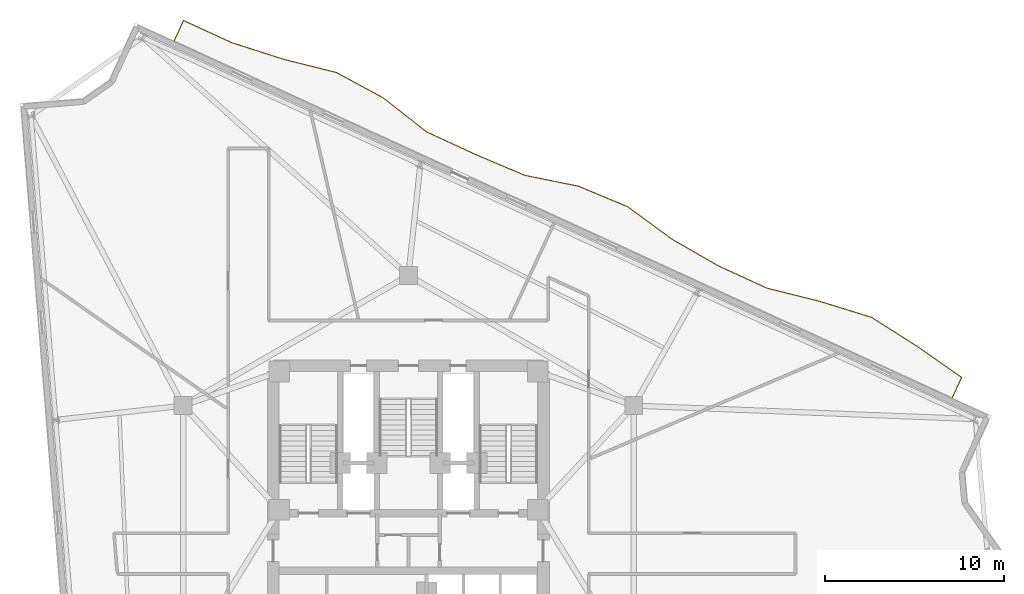
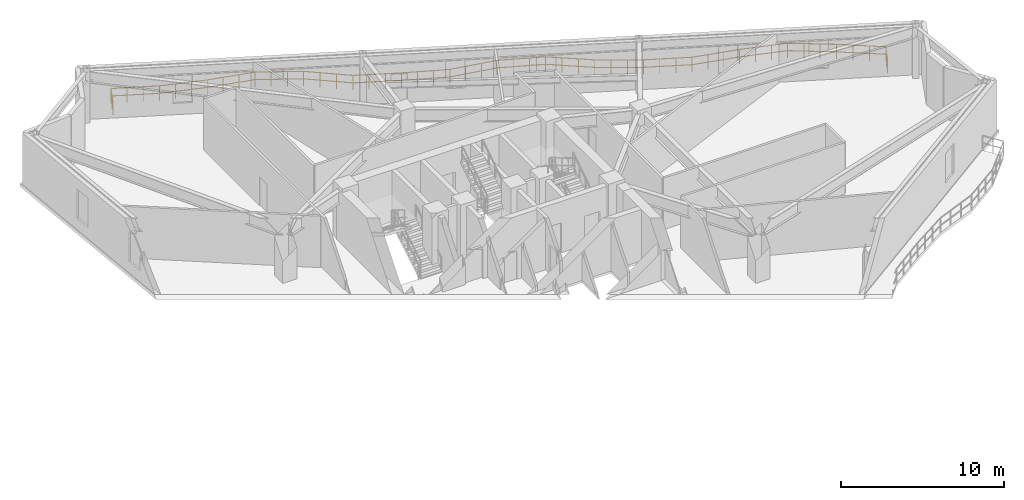
# One storey, part 10 of 10: 1 railing.
"""IFC4 building model written with IfcOpenShell, lengths in metres."""

from ifc_helpers import new_model, si_unit, direction, frame, origin, origin_2d, place, context, subcontext, project, spatial, rectangle, extrude, material, type_object, element, save


model = new_model("IFC4")

# Units and contexts
model_context = context("Model", 3, precision=1e-05, world=origin(), true_north=direction((0.0, 1.0)))
body_context = subcontext(model_context, "Body", "Model", "MODEL_VIEW")
ifc_project = project(units=[si_unit("LENGTHUNIT", "METRE"), si_unit("AREAUNIT", "SQUARE_METRE"), si_unit("VOLUMEUNIT", "CUBIC_METRE"), si_unit("PLANEANGLEUNIT", "RADIAN"), si_unit("MASSUNIT", "GRAM", prefix="KILO")], contexts=[model_context])

# Site, building, storey
site_placement = place(None, origin())
site = spatial("IfcSite", under=ifc_project, at=site_placement, CompositionType="ELEMENT")
building_placement = place(site_placement, origin())
building = spatial("IfcBuilding", under=site, at=building_placement, Name="Apsidion Concourse Tower", CompositionType="ELEMENT")
storey_placement = place(building_placement, frame((0.0, 0.0, 210.60009765625)))
storey = spatial("IfcBuildingStorey", under=building, at=storey_placement, Name="L49", CompositionType="ELEMENT", Elevation=210.60009765625)

# Railing
ifc_material = material(Name="Brushed stainless steel 316", Category="steel")
railing_type = type_object("IfcRailingType", Name="RL-BAL-1120", PredefinedType="BALUSTRADE", material=ifc_material)
railing_placement = place(storey_placement, frame((-13.060546875, 27.586181640625, 0.0)))
element("IfcRailing", 1, at=railing_placement, inside=storey, type_object=railing_type, Name="L49 Face 3 Rippling Balcony Balustrade", PredefinedType="BALUSTRADE", context=body_context, shape_type="SweptSolid", body=[
    extrude(rectangle(XDim=0.048095703125, YDim=0.048095703125, at=origin_2d()), frame((0.0, 0.0, 1.09619140625), z_axis=(0.416964027028, 0.908922989128, 0.0), x_axis=(-0.908922989128, 0.416964027028, 0.0)), (0.0, 0.0, 1.0), 1.25),
    extrude(rectangle(XDim=0.048095703125, YDim=0.048095703125, at=origin_2d()), frame((0.0, 0.0, 0.5361328125), z_axis=(0.416964027028, 0.908922989128, 0.0), x_axis=(-0.908922989128, 0.416964027028, 0.0)), (0.0, 0.0, 1.0), 1.25),
    extrude(rectangle(XDim=0.048095703125, YDim=0.048095703125, at=origin_2d()), frame((0.521240234375, 1.13623046875, 1.09619140625), z_axis=(0.9089485399, -0.416908325432, 0.0), x_axis=(0.416908325432, 0.9089485399, 0.0)), (0.0, 0.0, 1.0), 2.983154296875),
    extrude(rectangle(XDim=0.048095703125, YDim=0.048095703125, at=origin_2d()), frame((0.521240234375, 1.13623046875, 0.5361328125), z_axis=(0.9089485399, -0.416908325432, 0.0), x_axis=(0.416908325432, 0.9089485399, 0.0)), (0.0, 0.0, 1.0), 2.983154296875),
    extrude(rectangle(XDim=0.048095703125, YDim=0.048095703125, at=origin_2d()), frame((3.232666015625, -0.107421875, 1.09619140625), z_axis=(0.952417542604, -0.304796365695, 0.0), x_axis=(0.304796365695, 0.952417542604, 0.0)), (0.0, 0.0, 1.0), 3.004638671875),
    extrude(rectangle(XDim=0.048095703125, YDim=0.048095703125, at=origin_2d()), frame((3.232666015625, -0.107421875, 0.5361328125), z_axis=(0.952417542604, -0.304796365695, 0.0), x_axis=(0.304796365695, 0.952417542604, 0.0)), (0.0, 0.0, 1.0), 3.004638671875),
    extrude(rectangle(XDim=0.048095703125, YDim=0.048095703125, at=origin_2d()), frame((6.09423828125, -1.023193359375, 1.09619140625), z_axis=(0.97018034533, -0.24238419407, 0.0), x_axis=(0.24238419407, 0.97018034533, 0.0)), (0.0, 0.0, 1.0), 3.034912109375),
    extrude(rectangle(XDim=0.048095703125, YDim=0.048095703125, at=origin_2d()), frame((6.09423828125, -1.023193359375, 0.5361328125), z_axis=(0.97018034533, -0.24238419407, 0.0), x_axis=(0.24238419407, 0.97018034533, 0.0)), (0.0, 0.0, 1.0), 3.034912109375),
    extrude(rectangle(XDim=0.048095703125, YDim=0.048095703125, at=origin_2d()), frame((9.03857421875, -1.7587890625, 1.09619140625), z_axis=(0.879262040089, -0.476338393224, 0.0), x_axis=(0.476338393224, 0.879262040089, 0.0)), (0.0, 0.0, 1.0), 2.989501953125),
    extrude(rectangle(XDim=0.048095703125, YDim=0.048095703125, at=origin_2d()), frame((9.03857421875, -1.7587890625, 0.5361328125), z_axis=(0.879262040089, -0.476338393224, 0.0), x_axis=(0.476338393224, 0.879262040089, 0.0)), (0.0, 0.0, 1.0), 2.989501953125),
    extrude(rectangle(XDim=0.048095703125, YDim=0.048095703125, at=origin_2d()), frame((11.667236328125, -3.182861328125, 1.09619140625), z_axis=(0.786989062308, -0.616966948716, 0.0), x_axis=(0.616966948716, 0.786989062308, 0.0)), (0.0, 0.0, 1.0), 3.067138671875),
    extrude(rectangle(XDim=0.048095703125, YDim=0.048095703125, at=origin_2d()), frame((11.667236328125, -3.182861328125, 0.5361328125), z_axis=(0.786989062308, -0.616966948716, 0.0), x_axis=(0.616966948716, 0.786989062308, 0.0)), (0.0, 0.0, 1.0), 3.067138671875),
    extrude(rectangle(XDim=0.048095703125, YDim=0.048095703125, at=origin_2d()), frame((14.0810546875, -5.0751953125, 1.09619140625), z_axis=(0.907815604739, -0.419369559925, 0.0), x_axis=(0.419369559925, 0.907815604739, 0.0)), (0.0, 0.0, 1.0), 2.98291015625),
    extrude(rectangle(XDim=0.048095703125, YDim=0.048095703125, at=origin_2d()), frame((14.0810546875, -5.0751953125, 0.5361328125), z_axis=(0.907815604739, -0.419369559925, 0.0), x_axis=(0.419369559925, 0.907815604739, 0.0)), (0.0, 0.0, 1.0), 2.98291015625),
    extrude(rectangle(XDim=0.048095703125, YDim=0.048095703125, at=origin_2d()), frame((16.7890625, -6.326171875, 1.09619140625), z_axis=(0.920824924739, -0.389976227455, 0.0), x_axis=(0.389976227455, 0.920824924739, 0.0)), (0.0, 0.0, 1.0), 2.984375),
    extrude(rectangle(XDim=0.048095703125, YDim=0.048095703125, at=origin_2d()), frame((16.7890625, -6.326171875, 0.5361328125), z_axis=(0.920824924739, -0.389976227455, 0.0), x_axis=(0.389976227455, 0.920824924739, 0.0)), (0.0, 0.0, 1.0), 2.984375),
    extrude(rectangle(XDim=0.048095703125, YDim=0.048095703125, at=origin_2d()), frame((19.537109375, -7.489990234375, 1.09619140625), z_axis=(0.979866154786, -0.19965550006, 0.0), x_axis=(0.19965550006, 0.979866154786, 0.0)), (0.0, 0.0, 1.0), 3.063232421875),
    extrude(rectangle(XDim=0.048095703125, YDim=0.048095703125, at=origin_2d()), frame((19.537109375, -7.489990234375, 0.5361328125), z_axis=(0.979866154786, -0.19965550006, 0.0), x_axis=(0.19965550006, 0.979866154786, 0.0)), (0.0, 0.0, 1.0), 3.063232421875),
    extrude(rectangle(XDim=0.048095703125, YDim=0.048095703125, at=origin_2d()), frame((22.53857421875, -8.1015625, 1.09619140625), z_axis=(0.923009147056, -0.384778006713, 0.0), x_axis=(0.384778006713, 0.923009147056, 0.0)), (0.0, 0.0, 1.0), 2.984619140625),
    extrude(rectangle(XDim=0.048095703125, YDim=0.048095703125, at=origin_2d()), frame((22.53857421875, -8.1015625, 0.5361328125), z_axis=(0.923009147056, -0.384778006713, 0.0), x_axis=(0.384778006713, 0.923009147056, 0.0)), (0.0, 0.0, 1.0), 2.984619140625),
    extrude(rectangle(XDim=0.048095703125, YDim=0.048095703125, at=origin_2d()), frame((25.29345703125, -9.25, 1.09619140625), z_axis=(0.806180671995, -0.591669438202, 0.0), x_axis=(0.591669438202, 0.806180671995, 0.0)), (0.0, 0.0, 1.0), 3.045654296875),
    extrude(rectangle(XDim=0.048095703125, YDim=0.048095703125, at=origin_2d()), frame((25.29345703125, -9.25, 0.5361328125), z_axis=(0.806180671995, -0.591669438202, 0.0), x_axis=(0.591669438202, 0.806180671995, 0.0)), (0.0, 0.0, 1.0), 3.045654296875),
    extrude(rectangle(XDim=0.048095703125, YDim=0.048095703125, at=origin_2d()), frame((27.748779296875, -11.052001953125, 1.09619140625), z_axis=(0.866971447795, -0.498357811926, 0.0), x_axis=(0.498357811926, 0.866971447795, 0.0)), (0.0, 0.0, 1.0), 2.99560546875),
    extrude(rectangle(XDim=0.048095703125, YDim=0.048095703125, at=origin_2d()), frame((27.748779296875, -11.052001953125, 0.5361328125), z_axis=(0.866971447795, -0.498357811926, 0.0), x_axis=(0.498357811926, 0.866971447795, 0.0)), (0.0, 0.0, 1.0), 2.99560546875),
    extrude(rectangle(XDim=0.048095703125, YDim=0.048095703125, at=origin_2d()), frame((30.345947265625, -12.544921875, 1.09619140625), z_axis=(0.908934312968, -0.416939341761, 0.0), x_axis=(0.416939341761, 0.908934312968, 0.0)), (0.0, 0.0, 1.0), 2.98291015625),
    extrude(rectangle(XDim=0.048095703125, YDim=0.048095703125, at=origin_2d()), frame((30.345947265625, -12.544921875, 0.5361328125), z_axis=(0.908934312968, -0.416939341761, 0.0), x_axis=(0.416939341761, 0.908934312968, 0.0)), (0.0, 0.0, 1.0), 2.98291015625),
    extrude(rectangle(XDim=0.048095703125, YDim=0.048095703125, at=origin_2d()), frame((33.05712890625, -13.78857421875, 1.09619140625), z_axis=(0.970307878958, -0.241873148639, 0.0), x_axis=(0.241873148639, 0.970307878958, 0.0)), (0.0, 0.0, 1.0), 3.03515625),
    extrude(rectangle(XDim=0.048095703125, YDim=0.048095703125, at=origin_2d()), frame((33.05712890625, -13.78857421875, 0.5361328125), z_axis=(0.970307878958, -0.241873148639, 0.0), x_axis=(0.241873148639, 0.970307878958, 0.0)), (0.0, 0.0, 1.0), 3.03515625),
    extrude(rectangle(XDim=0.048095703125, YDim=0.048095703125, at=origin_2d()), frame((36.002197265625, -14.522705078125, 1.09619140625), z_axis=(0.955249316357, -0.295801865442, 0.0), x_axis=(0.295801865442, 0.955249316357, 0.0)), (0.0, 0.0, 1.0), 3.00830078125),
    extrude(rectangle(XDim=0.048095703125, YDim=0.048095703125, at=origin_2d()), frame((36.002197265625, -14.522705078125, 0.5361328125), z_axis=(0.955249316357, -0.295801865442, 0.0), x_axis=(0.295801865442, 0.955249316357, 0.0)), (0.0, 0.0, 1.0), 3.00830078125),
    extrude(rectangle(XDim=0.048095703125, YDim=0.048095703125, at=origin_2d()), frame((38.8759765625, -15.41259765625, 1.09619140625), z_axis=(0.844521997802, -0.535520863486, 0.0), x_axis=(0.535520863486, 0.844521997802, 0.0)), (0.0, 0.0, 1.0), 3.01025390625),
    extrude(rectangle(XDim=0.048095703125, YDim=0.048095703125, at=origin_2d()), frame((38.8759765625, -15.41259765625, 0.5361328125), z_axis=(0.844521997802, -0.535520863486, 0.0), x_axis=(0.535520863486, 0.844521997802, 0.0)), (0.0, 0.0, 1.0), 3.01025390625),
    extrude(rectangle(XDim=0.048095703125, YDim=0.048095703125, at=origin_2d()), frame((41.418212890625, -17.024658203125, 1.09619140625), z_axis=(0.81921300778, -0.573489361614, 0.0), x_axis=(0.573489361614, 0.81921300778, 0.0)), (0.0, 0.0, 1.0), 3.0322265625),
    extrude(rectangle(XDim=0.048095703125, YDim=0.048095703125, at=origin_2d()), frame((41.418212890625, -17.024658203125, 0.5361328125), z_axis=(0.81921300778, -0.573489361614, 0.0), x_axis=(0.573489361614, 0.81921300778, 0.0)), (0.0, 0.0, 1.0), 3.0322265625),
    extrude(rectangle(XDim=0.048095703125, YDim=0.048095703125, at=origin_2d()), frame((43.90234375, -18.763671875, 1.09619140625), z_axis=(-0.416876673848, -0.908963056896, 0.0), x_axis=(0.908963056896, -0.416876673848, 0.0)), (0.0, 0.0, 1.0), 1.249755859375),
    extrude(rectangle(XDim=0.048095703125, YDim=0.048095703125, at=origin_2d()), frame((43.90234375, -18.763671875, 0.5361328125), z_axis=(-0.416876673848, -0.908963056896, 0.0), x_axis=(0.908963056896, -0.416876673848, 0.0)), (0.0, 0.0, 1.0), 1.249755859375),
    extrude(rectangle(XDim=0.0419921875, YDim=0.0419921875, at=origin_2d()), origin(), (0.0, 0.0, 1.0), 1.072021484375),
    extrude(rectangle(XDim=0.0419921875, YDim=0.0419921875, at=origin_2d()), frame((0.2607421875, 0.568115234375, 0.0)), (0.0, 0.0, 1.0), 1.072021484375),
    extrude(rectangle(XDim=0.0419921875, YDim=0.0419921875, at=origin_2d()), frame((0.521240234375, 1.13623046875, 0.0)), (0.0, 0.0, 1.0), 1.072021484375),
    extrude(rectangle(XDim=0.0419921875, YDim=0.0419921875, at=origin_2d()), frame((1.425048828125, 0.7216796875, 0.0)), (0.0, 0.0, 1.0), 1.072021484375),
    extrude(rectangle(XDim=0.0419921875, YDim=0.0419921875, at=origin_2d()), frame((2.328857421875, 0.30712890625, 0.0)), (0.0, 0.0, 1.0), 1.072021484375),
    extrude(rectangle(XDim=0.0419921875, YDim=0.0419921875, at=origin_2d()), frame((3.232666015625, -0.107421875, 0.0)), (0.0, 0.0, 1.0), 1.072021484375),
    extrude(rectangle(XDim=0.0419921875, YDim=0.0419921875, at=origin_2d()), frame((4.1865234375, -0.41259765625, 0.0)), (0.0, 0.0, 1.0), 1.072021484375),
    extrude(rectangle(XDim=0.0419921875, YDim=0.0419921875, at=origin_2d()), frame((5.140380859375, -0.718017578125, 0.0)), (0.0, 0.0, 1.0), 1.072021484375),
    extrude(rectangle(XDim=0.0419921875, YDim=0.0419921875, at=origin_2d()), frame((6.09423828125, -1.023193359375, 0.0)), (0.0, 0.0, 1.0), 1.072021484375),
    extrude(rectangle(XDim=0.0419921875, YDim=0.0419921875, at=origin_2d()), frame((7.07568359375, -1.268310546875, 0.0)), (0.0, 0.0, 1.0), 1.072021484375),
    extrude(rectangle(XDim=0.0419921875, YDim=0.0419921875, at=origin_2d()), frame((8.05712890625, -1.513671875, 0.0)), (0.0, 0.0, 1.0), 1.072021484375),
    extrude(rectangle(XDim=0.0419921875, YDim=0.0419921875, at=origin_2d()), frame((9.03857421875, -1.7587890625, 0.0)), (0.0, 0.0, 1.0), 1.072021484375),
    extrude(rectangle(XDim=0.0419921875, YDim=0.0419921875, at=origin_2d()), frame((9.914794921875, -2.2333984375, 0.0)), (0.0, 0.0, 1.0), 1.072021484375),
    extrude(rectangle(XDim=0.0419921875, YDim=0.0419921875, at=origin_2d()), frame((10.791015625, -2.708251953125, 0.0)), (0.0, 0.0, 1.0), 1.072021484375),
    extrude(rectangle(XDim=0.0419921875, YDim=0.0419921875, at=origin_2d()), frame((11.667236328125, -3.182861328125, 0.0)), (0.0, 0.0, 1.0), 1.072021484375),
    extrude(rectangle(XDim=0.0419921875, YDim=0.0419921875, at=origin_2d()), frame((12.471923828125, -3.813720703125, 0.0)), (0.0, 0.0, 1.0), 1.072021484375),
    extrude(rectangle(XDim=0.0419921875, YDim=0.0419921875, at=origin_2d()), frame((13.2763671875, -4.4443359375, 0.0)), (0.0, 0.0, 1.0), 1.072021484375),
    extrude(rectangle(XDim=0.0419921875, YDim=0.0419921875, at=origin_2d()), frame((14.0810546875, -5.0751953125, 0.0)), (0.0, 0.0, 1.0), 1.072021484375),
    extrude(rectangle(XDim=0.0419921875, YDim=0.0419921875, at=origin_2d()), frame((14.983642578125, -5.4921875, 0.0)), (0.0, 0.0, 1.0), 1.072021484375),
    extrude(rectangle(XDim=0.0419921875, YDim=0.0419921875, at=origin_2d()), frame((15.886474609375, -5.9091796875, 0.0)), (0.0, 0.0, 1.0), 1.072021484375),
    extrude(rectangle(XDim=0.0419921875, YDim=0.0419921875, at=origin_2d()), frame((16.7890625, -6.326171875, 0.0)), (0.0, 0.0, 1.0), 1.072021484375),
    extrude(rectangle(XDim=0.0419921875, YDim=0.0419921875, at=origin_2d()), frame((17.705078125, -6.714111328125, 0.0)), (0.0, 0.0, 1.0), 1.072021484375),
    extrude(rectangle(XDim=0.0419921875, YDim=0.0419921875, at=origin_2d()), frame((18.62109375, -7.10205078125, 0.0)), (0.0, 0.0, 1.0), 1.072021484375),
    extrude(rectangle(XDim=0.0419921875, YDim=0.0419921875, at=origin_2d()), frame((19.537109375, -7.489990234375, 0.0)), (0.0, 0.0, 1.0), 1.072021484375),
    extrude(rectangle(XDim=0.0419921875, YDim=0.0419921875, at=origin_2d()), frame((20.53759765625, -7.69384765625, 0.0)), (0.0, 0.0, 1.0), 1.072021484375),
    extrude(rectangle(XDim=0.0419921875, YDim=0.0419921875, at=origin_2d()), frame((21.5380859375, -7.897705078125, 0.0)), (0.0, 0.0, 1.0), 1.072021484375),
    extrude(rectangle(XDim=0.0419921875, YDim=0.0419921875, at=origin_2d()), frame((22.53857421875, -8.1015625, 0.0)), (0.0, 0.0, 1.0), 1.072021484375),
    extrude(rectangle(XDim=0.0419921875, YDim=0.0419921875, at=origin_2d()), frame((23.456787109375, -8.484375, 0.0)), (0.0, 0.0, 1.0), 1.072021484375),
    extrude(rectangle(XDim=0.0419921875, YDim=0.0419921875, at=origin_2d()), frame((24.375244140625, -8.8671875, 0.0)), (0.0, 0.0, 1.0), 1.072021484375),
    extrude(rectangle(XDim=0.0419921875, YDim=0.0419921875, at=origin_2d()), frame((25.29345703125, -9.25, 0.0)), (0.0, 0.0, 1.0), 1.072021484375),
    extrude(rectangle(XDim=0.0419921875, YDim=0.0419921875, at=origin_2d()), frame((26.11181640625, -9.8505859375, 0.0)), (0.0, 0.0, 1.0), 1.072021484375),
    extrude(rectangle(XDim=0.0419921875, YDim=0.0419921875, at=origin_2d()), frame((26.930419921875, -10.451416015625, 0.0)), (0.0, 0.0, 1.0), 1.072021484375),
    extrude(rectangle(XDim=0.0419921875, YDim=0.0419921875, at=origin_2d()), frame((27.748779296875, -11.052001953125, 0.0)), (0.0, 0.0, 1.0), 1.072021484375),
    extrude(rectangle(XDim=0.0419921875, YDim=0.0419921875, at=origin_2d()), frame((28.614501953125, -11.549560546875, 0.0)), (0.0, 0.0, 1.0), 1.072021484375),
    extrude(rectangle(XDim=0.0419921875, YDim=0.0419921875, at=origin_2d()), frame((29.480224609375, -12.04736328125, 0.0)), (0.0, 0.0, 1.0), 1.072021484375),
    extrude(rectangle(XDim=0.0419921875, YDim=0.0419921875, at=origin_2d()), frame((30.345947265625, -12.544921875, 0.0)), (0.0, 0.0, 1.0), 1.072021484375),
    extrude(rectangle(XDim=0.0419921875, YDim=0.0419921875, at=origin_2d()), frame((31.249755859375, -12.95947265625, 0.0)), (0.0, 0.0, 1.0), 1.072021484375),
    extrude(rectangle(XDim=0.0419921875, YDim=0.0419921875, at=origin_2d()), frame((32.1533203125, -13.3740234375, 0.0)), (0.0, 0.0, 1.0), 1.072021484375),
    extrude(rectangle(XDim=0.0419921875, YDim=0.0419921875, at=origin_2d()), frame((33.05712890625, -13.78857421875, 0.0)), (0.0, 0.0, 1.0), 1.072021484375),
    extrude(rectangle(XDim=0.0419921875, YDim=0.0419921875, at=origin_2d()), frame((34.038818359375, -14.033203125, 0.0)), (0.0, 0.0, 1.0), 1.072021484375),
    extrude(rectangle(XDim=0.0419921875, YDim=0.0419921875, at=origin_2d()), frame((35.0205078125, -14.278076171875, 0.0)), (0.0, 0.0, 1.0), 1.072021484375),
    extrude(rectangle(XDim=0.0419921875, YDim=0.0419921875, at=origin_2d()), frame((36.002197265625, -14.522705078125, 0.0)), (0.0, 0.0, 1.0), 1.072021484375),
    extrude(rectangle(XDim=0.0419921875, YDim=0.0419921875, at=origin_2d()), frame((36.960205078125, -14.8193359375, 0.0)), (0.0, 0.0, 1.0), 1.072021484375),
    extrude(rectangle(XDim=0.0419921875, YDim=0.0419921875, at=origin_2d()), frame((37.91796875, -15.115966796875, 0.0)), (0.0, 0.0, 1.0), 1.072021484375),
    extrude(rectangle(XDim=0.0419921875, YDim=0.0419921875, at=origin_2d()), frame((38.8759765625, -15.41259765625, 0.0)), (0.0, 0.0, 1.0), 1.072021484375),
    extrude(rectangle(XDim=0.0419921875, YDim=0.0419921875, at=origin_2d()), frame((39.723388671875, -15.949951171875, 0.0)), (0.0, 0.0, 1.0), 1.072021484375),
    extrude(rectangle(XDim=0.0419921875, YDim=0.0419921875, at=origin_2d()), frame((40.57080078125, -16.4873046875, 0.0)), (0.0, 0.0, 1.0), 1.072021484375),
    extrude(rectangle(XDim=0.0419921875, YDim=0.0419921875, at=origin_2d()), frame((41.418212890625, -17.024658203125, 0.0)), (0.0, 0.0, 1.0), 1.072021484375),
    extrude(rectangle(XDim=0.0419921875, YDim=0.0419921875, at=origin_2d()), frame((42.246337890625, -17.604248046875, 0.0)), (0.0, 0.0, 1.0), 1.072021484375),
    extrude(rectangle(XDim=0.0419921875, YDim=0.0419921875, at=origin_2d()), frame((43.07421875, -18.18408203125, 0.0)), (0.0, 0.0, 1.0), 1.072021484375),
    extrude(rectangle(XDim=0.0419921875, YDim=0.0419921875, at=origin_2d()), frame((43.90234375, -18.763671875, 0.0)), (0.0, 0.0, 1.0), 1.072021484375),
    extrude(rectangle(XDim=0.0419921875, YDim=0.0419921875, at=origin_2d()), frame((43.641845703125, -19.33154296875, 0.0)), (0.0, 0.0, 1.0), 1.072021484375),
    extrude(rectangle(XDim=0.0419921875, YDim=0.0419921875, at=origin_2d()), frame((43.38134765625, -19.899658203125, 0.0)), (0.0, 0.0, 1.0), 1.072021484375),
])

save(model, "model.ifc")
